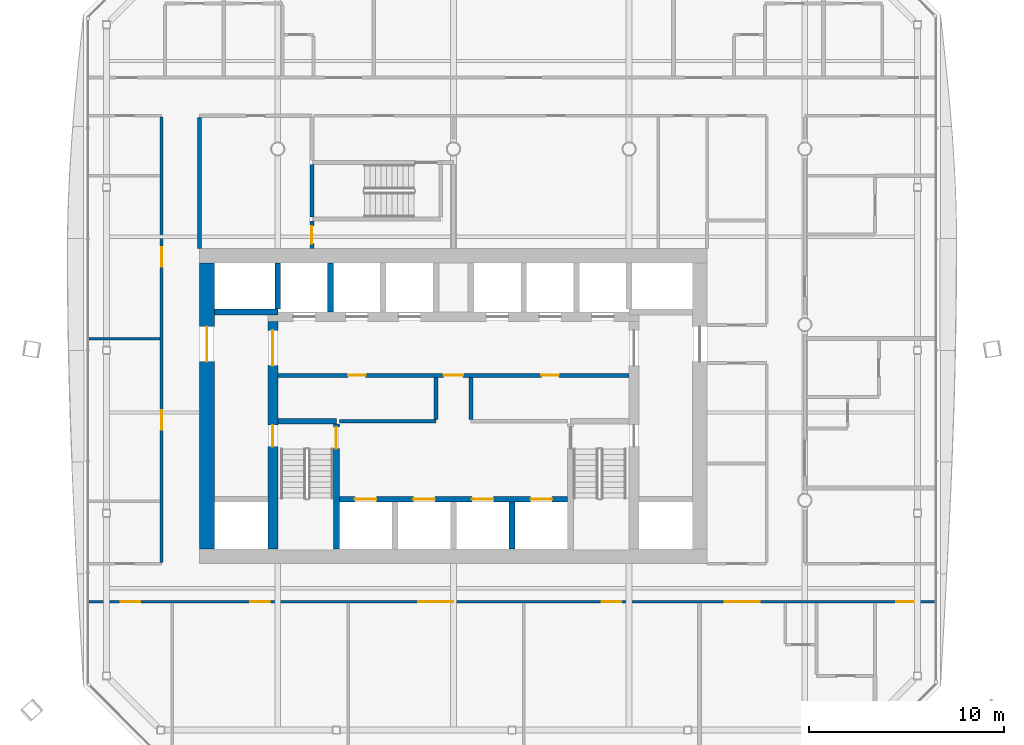
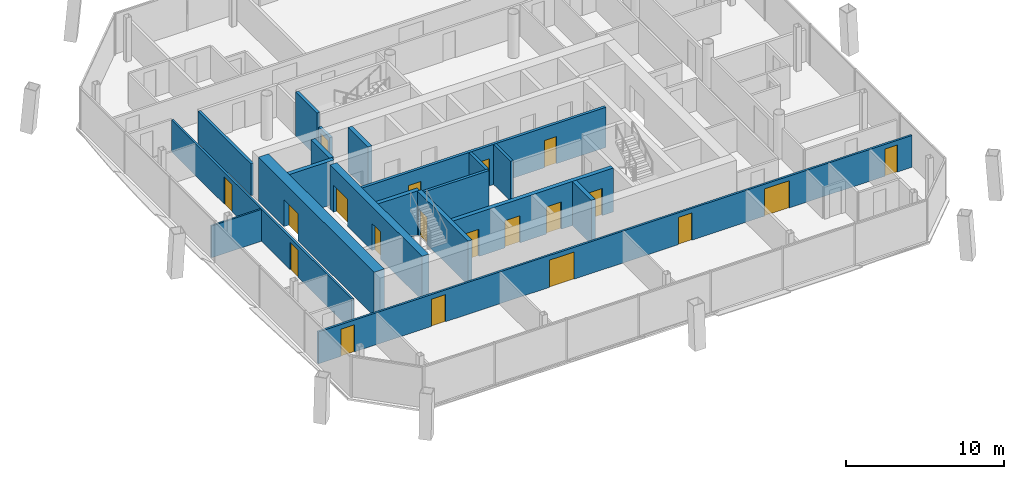
# One storey, part 12 of 18: 20 doors, 19 walls, 20 openings.
"""IFC4 building model written with IfcOpenShell, lengths in metres."""

from ifc_helpers import new_model, si_unit, direction, frame, frame_2d, origin, place, context, subcontext, project, spatial, rectangle, extrude, material, layer, layer_set, type_object, element, fill, save


model = new_model("IFC4")

# Units and contexts
model_context = context("Model", 3, precision=1e-05, world=origin(), true_north=direction((0.0, 1.0)))
body_context = subcontext(model_context, "Body", "Model", "MODEL_VIEW")
ifc_project = project(units=[si_unit("LENGTHUNIT", "METRE"), si_unit("AREAUNIT", "SQUARE_METRE"), si_unit("VOLUMEUNIT", "CUBIC_METRE"), si_unit("PLANEANGLEUNIT", "RADIAN"), si_unit("MASSUNIT", "GRAM", prefix="KILO")], contexts=[model_context])

# Site, building, storey
site_placement = place(None, origin())
site = spatial("IfcSite", under=ifc_project, at=site_placement, CompositionType="ELEMENT")
building_placement = place(site_placement, origin())
building = spatial("IfcBuilding", under=site, at=building_placement, Name="Tskaro Facet Tower", CompositionType="ELEMENT")
storey_placement = place(building_placement, frame((0.0, 0.0, 155.5)))
storey = spatial("IfcBuildingStorey", under=building, at=storey_placement, Name="L38", CompositionType="ELEMENT", Elevation=155.5)

# Wall, openings, doors
ifc_material_1 = material(Name="Concrete C60/75", Category="concrete")
ifc_layer_1 = layer(ifc_material_1, 0.300048828125, Name="Concrete C60/75")
ifc_layer_set_1 = layer_set([ifc_layer_1], Name="Concrete C60/75")
wall_type_1 = type_object("IfcWallType", Name="CORE-SHAFT", PredefinedType="SHEAR", material=ifc_layer_set_1)
wall_1_placement = place(storey_placement, frame((-5.85009765625, -8.949951171875, 0.0), z_axis=(0.0, 0.0, 1.0), x_axis=(1.0, 0.0, 0.0)))
wall_1 = element("IfcWall", 1, at=wall_1_placement, inside=storey, type_object=wall_type_1, Name="Shaft wall W009", PredefinedType="SHEAR", context=body_context, shape_type="SweptSolid", body=[
    extrude(rectangle(XDim=11.7001953125, YDim=0.300048828125, at=frame_2d((5.85009765625, 0.0))), origin(), (0.0, 0.0, 1.0), 3.39990234375),
])
opening_1_placement = place(wall_1_placement, frame((0.800048828125, 0.0, 0.0)))
opening_1 = element("IfcOpeningElement", 2, at=opening_1_placement, cuts=wall_1, Name="Opening LD-FF1", PredefinedType="OPENING", context=body_context, shape_type="SweptSolid", body=[
    extrude(rectangle(XDim=1.10009765625, YDim=2.10009765625, at=frame_2d((0.550048828125, 1.050048828125))), frame((0.0, 0.159912109375, 0.0), z_axis=(0.0, -1.0, 0.0), x_axis=(1.0, 0.0, 0.0)), (0.0, 0.0, 1.0), 0.320068359375),
])
opening_2_placement = place(wall_1_placement, frame((3.800048828125, 0.0, 0.0)))
opening_2 = element("IfcOpeningElement", 3, at=opening_2_placement, cuts=wall_1, Name="Opening LD-FF2", PredefinedType="OPENING", context=body_context, shape_type="SweptSolid", body=[
    extrude(rectangle(XDim=1.10009765625, YDim=2.10009765625, at=frame_2d((0.550048828125, 1.050048828125))), frame((0.0, 0.159912109375, 0.0), z_axis=(0.0, -1.0, 0.0), x_axis=(1.0, 0.0, 0.0)), (0.0, 0.0, 1.0), 0.320068359375),
])
opening_3_placement = place(wall_1_placement, frame((6.800048828125, 0.0, 0.0)))
opening_3 = element("IfcOpeningElement", 4, at=opening_3_placement, cuts=wall_1, Name="Opening LD-SV1", PredefinedType="OPENING", context=body_context, shape_type="SweptSolid", body=[
    extrude(rectangle(XDim=1.10009765625, YDim=2.10009765625, at=frame_2d((0.550048828125, 1.050048828125))), frame((0.0, 0.159912109375, 0.0), z_axis=(0.0, -1.0, 0.0), x_axis=(1.0, 0.0, 0.0)), (0.0, 0.0, 1.0), 0.320068359375),
])
opening_4_placement = place(wall_1_placement, frame((9.800048828125, 0.0, 0.0)))
opening_4 = element("IfcOpeningElement", 5, at=opening_4_placement, cuts=wall_1, Name="Opening LD-SV2", PredefinedType="OPENING", context=body_context, shape_type="SweptSolid", body=[
    extrude(rectangle(XDim=1.10009765625, YDim=2.10009765625, at=frame_2d((0.550048828125, 1.050048828125))), frame((0.0, 0.159912109375, 0.0), z_axis=(0.0, -1.0, 0.0), x_axis=(1.0, 0.0, 0.0)), (0.0, 0.0, 1.0), 0.320068359375),
])
ifc_material_2 = material(Name="Stainless steel", Category="steel")
door_type_1 = type_object("IfcDoorType", Name="D-LANDING", OperationType="NOTDEFINED", PredefinedType="DOOR", material=ifc_material_2)
door_1_placement = place(opening_1_placement, origin())
door_1 = element("IfcDoor", 6, at=door_1_placement, inside=storey, type_object=door_type_1, Name="Landing door FF1", OperationType="DOUBLE_DOOR_SLIDING", OverallHeight=2.10009765625, OverallWidth=1.10009765625, PredefinedType="DOOR", context=body_context, shape_type="SweptSolid", body=[
    extrude(rectangle(XDim=1.10009765625, YDim=2.10009765625, at=frame_2d((0.550048828125, 1.050048828125))), frame((0.0, 0.02490234375, 0.0), z_axis=(0.0, -1.0, 0.0), x_axis=(1.0, 0.0, 0.0)), (0.0, 0.0, 1.0), 0.050048828125),
])
fill(opening_1, door_1)
door_2_placement = place(opening_2_placement, origin())
door_2 = element("IfcDoor", 7, at=door_2_placement, inside=storey, type_object=door_type_1, Name="Landing door FF2", OperationType="DOUBLE_DOOR_SLIDING", OverallHeight=2.10009765625, OverallWidth=1.10009765625, PredefinedType="DOOR", context=body_context, shape_type="SweptSolid", body=[
    extrude(rectangle(XDim=1.10009765625, YDim=2.10009765625, at=frame_2d((0.550048828125, 1.050048828125))), frame((0.0, 0.02490234375, 0.0), z_axis=(0.0, -1.0, 0.0), x_axis=(1.0, 0.0, 0.0)), (0.0, 0.0, 1.0), 0.050048828125),
])
fill(opening_2, door_2)
door_3_placement = place(opening_3_placement, origin())
door_3 = element("IfcDoor", 8, at=door_3_placement, inside=storey, type_object=door_type_1, Name="Landing door SV1", OperationType="DOUBLE_DOOR_SLIDING", OverallHeight=2.10009765625, OverallWidth=1.10009765625, PredefinedType="DOOR", context=body_context, shape_type="SweptSolid", body=[
    extrude(rectangle(XDim=1.10009765625, YDim=2.10009765625, at=frame_2d((0.550048828125, 1.050048828125))), frame((0.0, 0.02490234375, 0.0), z_axis=(0.0, -1.0, 0.0), x_axis=(1.0, 0.0, 0.0)), (0.0, 0.0, 1.0), 0.050048828125),
])
fill(opening_3, door_3)
door_4_placement = place(opening_4_placement, origin())
door_4 = element("IfcDoor", 9, at=door_4_placement, inside=storey, type_object=door_type_1, Name="Landing door SV2", OperationType="DOUBLE_DOOR_SLIDING", OverallHeight=2.10009765625, OverallWidth=1.10009765625, PredefinedType="DOOR", context=body_context, shape_type="SweptSolid", body=[
    extrude(rectangle(XDim=1.10009765625, YDim=2.10009765625, at=frame_2d((0.550048828125, 1.050048828125))), frame((0.0, 0.02490234375, 0.0), z_axis=(0.0, -1.0, 0.0), x_axis=(1.0, 0.0, 0.0)), (0.0, 0.0, 1.0), 0.050048828125),
])
fill(opening_4, door_4)

# Walls
wall_2_placement = place(storey_placement, frame((-9.0, -4.949951171875, 0.0), z_axis=(0.0, 0.0, 1.0), x_axis=(1.0, 0.0, 0.0)))
element("IfcWall", 10, at=wall_2_placement, inside=storey, type_object=wall_type_1, Name="Shaft wall W014", PredefinedType="SHEAR", context=body_context, shape_type="SweptSolid", body=[
    extrude(rectangle(XDim=3.0, YDim=0.300048828125, at=frame_2d((1.5, 0.0))), origin(), (0.0, 0.0, 1.0), 3.39990234375),
])
wall_3_placement = place(storey_placement, frame((-9.0, 0.64990234375, 0.0), z_axis=(0.0, 0.0, 1.0), x_axis=(-1.0, 0.0, 0.0)))
element("IfcWall", 11, at=wall_3_placement, inside=storey, type_object=wall_type_1, Name="Shaft wall W024", PredefinedType="SHEAR", context=body_context, shape_type="SweptSolid", body=[
    extrude(rectangle(XDim=3.25, YDim=0.300048828125, at=frame_2d((1.625, 0.0))), origin(), (0.0, 0.0, 1.0), 3.39990234375),
])
wall_4_placement = place(storey_placement, frame((-9.0, 0.800048828125, 0.0), z_axis=(0.0, 0.0, 1.0), x_axis=(0.0, 1.0, 0.0)))
element("IfcWall", 12, at=wall_4_placement, inside=storey, type_object=wall_type_1, Name="Shaft wall W048", PredefinedType="SHEAR", context=body_context, shape_type="SweptSolid", body=[
    extrude(rectangle(XDim=2.349853515625, YDim=0.300048828125, at=frame_2d((1.1748046875, 0.0))), origin(), (0.0, 0.0, 1.0), 3.39990234375),
])
wall_5_placement = place(storey_placement, frame((-6.300048828125, 0.64990234375, 0.0), z_axis=(0.0, 0.0, 1.0), x_axis=(0.0, 1.0, 0.0)))
element("IfcWall", 13, at=wall_5_placement, inside=storey, type_object=wall_type_1, Name="Shaft wall W054", PredefinedType="SHEAR", context=body_context, shape_type="SweptSolid", body=[
    extrude(rectangle(XDim=2.5, YDim=0.300048828125, at=frame_2d((1.25, 0.0))), origin(), (0.0, 0.0, 1.0), 3.39990234375),
])

# Wall, opening, door
wall_6_placement = place(storey_placement, frame((-6.0, -11.5, 0.0), z_axis=(0.0, 0.0, 1.0), x_axis=(0.0, 1.0, 0.0)))
wall_6 = element("IfcWall", 14, at=wall_6_placement, inside=storey, type_object=wall_type_1, Name="Shaft wall W055", PredefinedType="SHEAR", context=body_context, shape_type="SweptSolid", body=[
    extrude(rectangle(XDim=6.39990234375, YDim=0.300048828125, at=frame_2d((3.199951171875, 0.0))), origin(), (0.0, 0.0, 1.0), 3.39990234375),
])
opening_5_placement = place(wall_6_placement, frame((5.14990234375, 0.0, 0.0)))
opening_5 = element("IfcOpeningElement", 15, at=opening_5_placement, cuts=wall_6, Name="Opening ST-1-D1", PredefinedType="OPENING", context=body_context, shape_type="SweptSolid", body=[
    extrude(rectangle(XDim=1.10009765625, YDim=2.10009765625, at=frame_2d((0.550048828125, 1.050048828125))), frame((0.0, 0.159912109375, 0.0), z_axis=(0.0, -1.0, 0.0), x_axis=(1.0, 0.0, 0.0)), (0.0, 0.0, 1.0), 0.320068359375),
])
ifc_material_3 = material(Name="Steel", Category="steel")
door_type_2 = type_object("IfcDoorType", Name="D-STAIR", OperationType="NOTDEFINED", PredefinedType="DOOR", material=ifc_material_3)
door_5_placement = place(opening_5_placement, origin())
door_5 = element("IfcDoor", 16, at=door_5_placement, inside=storey, type_object=door_type_2, Name="Stair door 1", OperationType="SINGLE_SWING_LEFT", OverallHeight=2.10009765625, OverallWidth=1.10009765625, PredefinedType="DOOR", context=body_context, shape_type="SweptSolid", body=[
    extrude(rectangle(XDim=1.10009765625, YDim=2.10009765625, at=frame_2d((0.550048828125, 1.050048828125))), frame((0.0, 0.02490234375, 0.0), z_axis=(0.0, -1.0, 0.0), x_axis=(1.0, 0.0, 0.0)), (0.0, 0.0, 1.0), 0.050048828125),
])
fill(opening_5, door_5)

# Walls
wall_7_placement = place(storey_placement, frame((3.0, -11.5, 0.0), z_axis=(0.0, 0.0, 1.0), x_axis=(0.0, 1.0, 0.0)))
element("IfcWall", 17, at=wall_7_placement, inside=storey, type_object=wall_type_1, Name="Shaft wall W068", PredefinedType="SHEAR", context=body_context, shape_type="SweptSolid", body=[
    extrude(rectangle(XDim=2.39990234375, YDim=0.300048828125, at=frame_2d((1.199951171875, 0.0))), origin(), (0.0, 0.0, 1.0), 3.39990234375),
])
ifc_material_4 = material(Name="Concrete C20/25", Category="concrete")
ifc_layer_2 = layer(ifc_material_4, 0.199951171875, Name="Concrete C20/25")
ifc_layer_set_2 = layer_set([ifc_layer_2], Name="Concrete C20/25")
wall_type_2 = type_object("IfcWallType", Name="CORE-WALL", PredefinedType="SOLIDWALL", material=ifc_layer_set_2)
wall_8_placement = place(storey_placement, frame((-5.85009765625, -4.949951171875, 0.0), z_axis=(0.0, 0.0, 1.0), x_axis=(1.0, 0.0, 0.0)))
element("IfcWall", 18, at=wall_8_placement, inside=storey, type_object=wall_type_2, Name="Core room wall W015", PredefinedType="SOLIDWALL", context=body_context, shape_type="SweptSolid", body=[
    extrude(rectangle(XDim=4.9501953125, YDim=0.199951171875, at=frame_2d((2.47509765625, 0.0))), origin(), (0.0, 0.0, 1.0), 3.10009765625),
])

# Wall, openings, doors
wall_9_placement = place(storey_placement, frame((9.0, -2.60009765625, 0.0), z_axis=(0.0, 0.0, 1.0), x_axis=(-1.0, 0.0, 0.0)))
wall_9 = element("IfcWall", 19, at=wall_9_placement, inside=storey, type_object=wall_type_2, Name="Core room wall W019", PredefinedType="SOLIDWALL", context=body_context, shape_type="SweptSolid", body=[
    extrude(rectangle(XDim=18.0, YDim=0.199951171875, at=frame_2d((9.0, 0.0))), origin(), (0.0, 0.0, 1.0), 3.10009765625),
])
opening_6_placement = place(wall_9_placement, frame((8.5, 0.0, 0.0)))
opening_6 = element("IfcOpeningElement", 20, at=opening_6_placement, cuts=wall_9, Name="Opening FL-D1", PredefinedType="OPENING", context=body_context, shape_type="SweptSolid", body=[
    extrude(rectangle(XDim=1.0, YDim=2.10009765625, at=frame_2d((0.5, 1.050048828125))), frame((0.0, 0.10986328125, 0.0), z_axis=(0.0, -1.0, 0.0), x_axis=(1.0, 0.0, 0.0)), (0.0, 0.0, 1.0), 0.219970703125),
])
opening_7_placement = place(wall_9_placement, frame((13.5, 0.0, 0.0)))
opening_7 = element("IfcOpeningElement", 21, at=opening_7_placement, cuts=wall_9, Name="Opening T11-D17", PredefinedType="OPENING", context=body_context, shape_type="SweptSolid", body=[
    extrude(rectangle(XDim=0.89990234375, YDim=2.10009765625, at=frame_2d((0.449951171875, 1.050048828125))), frame((0.0, 0.10986328125, 0.0), z_axis=(0.0, -1.0, 0.0), x_axis=(1.0, 0.0, 0.0)), (0.0, 0.0, 1.0), 0.219970703125),
])
opening_8_placement = place(wall_9_placement, frame((3.60009765625, 0.0, 0.0)))
opening_8 = element("IfcOpeningElement", 22, at=opening_8_placement, cuts=wall_9, Name="Opening T11-D18", PredefinedType="OPENING", context=body_context, shape_type="SweptSolid", body=[
    extrude(rectangle(XDim=0.89990234375, YDim=2.10009765625, at=frame_2d((0.449951171875, 1.050048828125))), frame((0.0, 0.10986328125, 0.0), z_axis=(0.0, -1.0, 0.0), x_axis=(1.0, 0.0, 0.0)), (0.0, 0.0, 1.0), 0.219970703125),
])
door_type_3 = type_object("IfcDoorType", Name="D-LOBBY", OperationType="NOTDEFINED", PredefinedType="DOOR", material=ifc_material_3)
door_6_placement = place(opening_6_placement, origin())
door_6 = element("IfcDoor", 23, at=door_6_placement, inside=storey, type_object=door_type_3, Name="Lobby door FL", OperationType="SINGLE_SWING_RIGHT", OverallHeight=2.10009765625, OverallWidth=1.0, PredefinedType="DOOR", context=body_context, shape_type="SweptSolid", body=[
    extrude(rectangle(XDim=1.0, YDim=2.10009765625, at=frame_2d((0.5, 1.050048828125))), frame((0.0, 0.02490234375, 0.0), z_axis=(0.0, -1.0, 0.0), x_axis=(1.0, 0.0, 0.0)), (0.0, 0.0, 1.0), 0.050048828125),
])
fill(opening_6, door_6)
ifc_material_5 = material(Name="Timber", Category="wood")
door_type_4 = type_object("IfcDoorType", Name="D-ROOM", OperationType="NOTDEFINED", PredefinedType="DOOR", material=ifc_material_5)
door_7_placement = place(opening_7_placement, origin())
door_7 = element("IfcDoor", 24, at=door_7_placement, inside=storey, type_object=door_type_4, Name="Door T11-D17", OperationType="SINGLE_SWING_RIGHT", OverallHeight=2.10009765625, OverallWidth=0.89990234375, PredefinedType="DOOR", context=body_context, shape_type="SweptSolid", body=[
    extrude(rectangle(XDim=0.89990234375, YDim=2.10009765625, at=frame_2d((0.449951171875, 1.050048828125))), frame((0.0, 0.02490234375, 0.0), z_axis=(0.0, -1.0, 0.0), x_axis=(1.0, 0.0, 0.0)), (0.0, 0.0, 1.0), 0.050048828125),
])
fill(opening_7, door_7)
door_8_placement = place(opening_8_placement, origin())
door_8 = element("IfcDoor", 25, at=door_8_placement, inside=storey, type_object=door_type_4, Name="Door T11-D18", OperationType="SINGLE_SWING_RIGHT", OverallHeight=2.10009765625, OverallWidth=0.89990234375, PredefinedType="DOOR", context=body_context, shape_type="SweptSolid", body=[
    extrude(rectangle(XDim=0.89990234375, YDim=2.10009765625, at=frame_2d((0.449951171875, 1.050048828125))), frame((0.0, 0.02490234375, 0.0), z_axis=(0.0, -1.0, 0.0), x_axis=(1.0, 0.0, 0.0)), (0.0, 0.0, 1.0), 0.050048828125),
])
fill(opening_8, door_8)

# Walls
for number, where, z_axis, x_axis, name in (
    (26, (-0.89990234375, -4.85009765625, 0.0), (0.0, 0.0, 1.0), (0.0, 1.0, 0.0), "Core room wall W060"),
    (27, (0.89990234375, -4.85009765625, 0.0), (0.0, 0.0, 1.0), (0.0, 1.0, 0.0), "Core room wall W066"),
):
    element("IfcWall", number, at=place(storey_placement, frame(where, z_axis=z_axis, x_axis=x_axis)), inside=storey, type_object=wall_type_2, Name=name, PredefinedType="SOLIDWALL", context=body_context, shape_type="SweptSolid", body=[
        extrude(rectangle(XDim=2.150146484375, YDim=0.199951171875, at=frame_2d((1.0751953125, 0.0))), origin(), (0.0, 0.0, 1.0), 3.10009765625),
    ])

# Wall, openings, doors
ifc_material_6 = material(Name="Concrete C40/50", Category="concrete")
ifc_layer_3 = layer(ifc_material_6, 0.5, Name="Concrete C40/50")
ifc_layer_set_3 = layer_set([ifc_layer_3], Name="Concrete C40/50")
wall_type_3 = type_object("IfcWallType", Name="Core wall 500", PredefinedType="SHEAR", material=ifc_layer_set_3)
wall_10_placement = place(storey_placement, frame((-9.25, -11.5, 0.0), z_axis=(0.0, 0.0, 1.0), x_axis=(0.0, 1.0, 0.0)))
wall_10 = element("IfcWall", 28, at=wall_10_placement, inside=storey, type_object=wall_type_3, Name="Core wall CW-Z3W", PredefinedType="SHEAR", context=body_context, shape_type="SweptSolid", body=[
    extrude(rectangle(XDim=11.64990234375, YDim=0.5, at=frame_2d((5.824951171875, 0.0))), origin(), (0.0, 0.0, 1.0), 3.39990234375),
])
opening_9_placement = place(wall_10_placement, frame((9.39990234375, 0.0, 0.0)))
opening_9 = element("IfcOpeningElement", 29, at=opening_9_placement, cuts=wall_10, Name="Opening T11-D21", PredefinedType="OPENING", context=body_context, shape_type="SweptSolid", body=[
    extrude(rectangle(XDim=1.800048828125, YDim=2.10009765625, at=frame_2d((0.89990234375, 1.050048828125))), frame((0.0, 0.260009765625, 0.0), z_axis=(0.0, -1.0, 0.0), x_axis=(1.0, 0.0, 0.0)), (0.0, 0.0, 1.0), 0.52001953125),
])
opening_10_placement = place(wall_10_placement, frame((5.25, 0.0, 0.0)))
opening_10 = element("IfcOpeningElement", 30, at=opening_10_placement, cuts=wall_10, Name="Opening ST-1-D2", PredefinedType="OPENING", context=body_context, shape_type="SweptSolid", body=[
    extrude(rectangle(XDim=1.10009765625, YDim=2.10009765625, at=frame_2d((0.550048828125, 1.050048828125))), frame((0.0, 0.260009765625, 0.0), z_axis=(0.0, -1.0, 0.0), x_axis=(1.0, 0.0, 0.0)), (0.0, 0.0, 1.0), 0.52001953125),
])
door_type_5 = type_object("IfcDoorType", Name="D-CORE-PAIR", OperationType="NOTDEFINED", PredefinedType="DOOR", material=ifc_material_3)
door_9_placement = place(opening_9_placement, origin())
door_9 = element("IfcDoor", 31, at=door_9_placement, inside=storey, type_object=door_type_5, Name="Door T11-D21", OperationType="DOUBLE_DOOR_SINGLE_SWING", OverallHeight=2.10009765625, OverallWidth=1.800048828125, PredefinedType="DOOR", context=body_context, shape_type="SweptSolid", body=[
    extrude(rectangle(XDim=1.800048828125, YDim=2.10009765625, at=frame_2d((0.89990234375, 1.050048828125))), frame((0.0, 0.02490234375, 0.0), z_axis=(0.0, -1.0, 0.0), x_axis=(1.0, 0.0, 0.0)), (0.0, 0.0, 1.0), 0.050048828125),
])
fill(opening_9, door_9)
door_10_placement = place(opening_10_placement, origin())
door_10 = element("IfcDoor", 32, at=door_10_placement, inside=storey, type_object=door_type_2, Name="Stair door 1 west", OperationType="SINGLE_SWING_LEFT", OverallHeight=2.10009765625, OverallWidth=1.10009765625, PredefinedType="DOOR", context=body_context, shape_type="SweptSolid", body=[
    extrude(rectangle(XDim=1.10009765625, YDim=2.10009765625, at=frame_2d((0.550048828125, 1.050048828125))), frame((0.0, 0.02490234375, 0.0), z_axis=(0.0, -1.0, 0.0), x_axis=(1.0, 0.0, 0.0)), (0.0, 0.0, 1.0), 0.050048828125),
])
fill(opening_10, door_10)

# Wall, opening, door
ifc_material_7 = material(Name="Concrete C50/60", Category="concrete")
ifc_layer_4 = layer(ifc_material_7, 0.75, Name="Concrete C50/60")
ifc_layer_set_4 = layer_set([ifc_layer_4], Name="Concrete C50/60")
wall_type_4 = type_object("IfcWallType", Name="Core wall 750", PredefinedType="SHEAR", material=ifc_layer_set_4)
wall_11_placement = place(storey_placement, frame((-12.625, -11.5, 0.0), z_axis=(0.0, 0.0, 1.0), x_axis=(0.0, 1.0, 0.0)))
wall_11 = element("IfcWall", 33, at=wall_11_placement, inside=storey, type_object=wall_type_4, Name="Core wall CW-Z2W", PredefinedType="SHEAR", context=body_context, shape_type="SweptSolid", body=[
    extrude(rectangle(XDim=14.64990234375, YDim=0.75, at=frame_2d((7.324951171875, 0.0))), origin(), (0.0, 0.0, 1.0), 3.39990234375),
])
opening_11_placement = place(wall_11_placement, frame((9.60009765625, 0.0, 0.0)))
opening_11 = element("IfcOpeningElement", 34, at=opening_11_placement, cuts=wall_11, Name="Opening T11-D23", PredefinedType="OPENING", context=body_context, shape_type="SweptSolid", body=[
    extrude(rectangle(XDim=1.800048828125, YDim=2.10009765625, at=frame_2d((0.89990234375, 1.050048828125))), frame((0.0, 0.385009765625, 0.0), z_axis=(0.0, -1.0, 0.0), x_axis=(1.0, 0.0, 0.0)), (0.0, 0.0, 1.0), 0.77001953125),
])
door_11_placement = place(opening_11_placement, origin())
door_11 = element("IfcDoor", 35, at=door_11_placement, inside=storey, type_object=door_type_5, Name="Door T11-D23", OperationType="DOUBLE_DOOR_SINGLE_SWING", OverallHeight=2.10009765625, OverallWidth=1.800048828125, PredefinedType="DOOR", context=body_context, shape_type="SweptSolid", body=[
    extrude(rectangle(XDim=1.800048828125, YDim=2.10009765625, at=frame_2d((0.89990234375, 1.050048828125))), frame((0.0, 0.02490234375, 0.0), z_axis=(0.0, -1.0, 0.0), x_axis=(1.0, 0.0, 0.0)), (0.0, 0.0, 1.0), 0.050048828125),
])
fill(opening_11, door_11)

# Wall
ifc_material_8 = material(Name="Gypsum board on steel studs", Category="steel")
ifc_layer_5 = layer(ifc_material_8, 0.125, Name="Gypsum board on steel studs")
ifc_layer_set_5 = layer_set([ifc_layer_5], Name="Gypsum board on steel studs")
wall_type_5 = type_object("IfcWallType", Name="PART", PredefinedType="PARTITIONING", material=ifc_layer_set_5)
wall_12_placement = place(storey_placement, frame((-18.674072265625, -0.715087890625, 0.0), z_axis=(0.0, 0.0, 1.0), x_axis=(1.0, 0.0, 0.0)))
element("IfcWall", 36, at=wall_12_placement, inside=storey, type_object=wall_type_5, Name="Partition W022", PredefinedType="PARTITIONING", context=body_context, shape_type="SweptSolid", body=[
    extrude(rectangle(XDim=3.649169921875, YDim=0.125, at=frame_2d((1.82470703125, 0.0))), origin(), (0.0, 0.0, 1.0), 2.4599609375),
])

# Wall, openings, doors
ifc_layer_6 = layer(ifc_material_8, 0.14990234375, Name="Gypsum board on steel studs")
ifc_layer_set_6 = layer_set([ifc_layer_6], Name="Gypsum board on steel studs")
wall_type_6 = type_object("IfcWallType", Name="PART-CORR", PredefinedType="PARTITIONING", material=ifc_layer_set_6)
wall_13_placement = place(storey_placement, frame((24.674072265625, -14.199951171875, 0.0), z_axis=(0.0, 0.0, 1.0), x_axis=(-1.0, 0.0, 0.0)))
wall_13 = element("IfcWall", 37, at=wall_13_placement, inside=storey, type_object=wall_type_6, Name="Corridor wall W003", PredefinedType="PARTITIONING", context=body_context, shape_type="SweptSolid", body=[
    extrude(rectangle(XDim=43.34814453125, YDim=0.14990234375, at=frame_2d((21.674072265625, 0.0))), origin(), (0.0, 0.0, 1.0), 2.4599609375),
])
opening_12_placement = place(wall_13_placement, frame((40.71044921875, 0.0, 0.0)))
opening_12 = element("IfcOpeningElement", 38, at=opening_12_placement, cuts=wall_13, Name="Opening T11-D03", PredefinedType="OPENING", context=body_context, shape_type="SweptSolid", body=[
    extrude(rectangle(XDim=1.0, YDim=2.10009765625, at=frame_2d((0.5, 1.050048828125))), frame((0.0, 0.0849609375, 0.0), z_axis=(0.0, -1.0, 0.0), x_axis=(1.0, 0.0, 0.0)), (0.0, 0.0, 1.0), 0.169921875),
])
opening_13_placement = place(wall_13_placement, frame((34.073486328125, 0.0, 0.0)))
opening_13 = element("IfcOpeningElement", 39, at=opening_13_placement, cuts=wall_13, Name="Opening T11-D04", PredefinedType="OPENING", context=body_context, shape_type="SweptSolid", body=[
    extrude(rectangle(XDim=1.0, YDim=2.10009765625, at=frame_2d((0.5, 1.050048828125))), frame((0.0, 0.0849609375, 0.0), z_axis=(0.0, -1.0, 0.0), x_axis=(1.0, 0.0, 0.0)), (0.0, 0.0, 1.0), 0.169921875),
])
opening_14_placement = place(wall_13_placement, frame((24.674072265625, 0.0, 0.0)))
opening_14 = element("IfcOpeningElement", 40, at=opening_14_placement, cuts=wall_13, Name="Opening T11-D05", PredefinedType="OPENING", context=body_context, shape_type="SweptSolid", body=[
    extrude(rectangle(XDim=1.800048828125, YDim=2.10009765625, at=frame_2d((0.89990234375, 1.050048828125))), frame((0.0, 0.0849609375, 0.0), z_axis=(0.0, -1.0, 0.0), x_axis=(1.0, 0.0, 0.0)), (0.0, 0.0, 1.0), 0.169921875),
])
opening_15_placement = place(wall_13_placement, frame((16.073974609375, 0.0, 0.0)))
opening_15 = element("IfcOpeningElement", 41, at=opening_15_placement, cuts=wall_13, Name="Opening T11-D06", PredefinedType="OPENING", context=body_context, shape_type="SweptSolid", body=[
    extrude(rectangle(XDim=1.0, YDim=2.10009765625, at=frame_2d((0.5, 1.050048828125))), frame((0.0, 0.0849609375, 0.0), z_axis=(0.0, -1.0, 0.0), x_axis=(1.0, 0.0, 0.0)), (0.0, 0.0, 1.0), 0.169921875),
])
opening_16_placement = place(wall_13_placement, frame((8.974609375, 0.0, 0.0)))
opening_16 = element("IfcOpeningElement", 42, at=opening_16_placement, cuts=wall_13, Name="Opening T11-D07", PredefinedType="OPENING", context=body_context, shape_type="SweptSolid", body=[
    extrude(rectangle(XDim=1.800048828125, YDim=2.10009765625, at=frame_2d((0.89990234375, 1.050048828125))), frame((0.0, 0.0849609375, 0.0), z_axis=(0.0, -1.0, 0.0), x_axis=(1.0, 0.0, 0.0)), (0.0, 0.0, 1.0), 0.169921875),
])
opening_17_placement = place(wall_13_placement, frame((1.08740234375, 0.0, 0.0)))
opening_17 = element("IfcOpeningElement", 43, at=opening_17_placement, cuts=wall_13, Name="Opening T11-D08", PredefinedType="OPENING", context=body_context, shape_type="SweptSolid", body=[
    extrude(rectangle(XDim=0.89990234375, YDim=2.10009765625, at=frame_2d((0.449951171875, 1.050048828125))), frame((0.0, 0.0849609375, 0.0), z_axis=(0.0, -1.0, 0.0), x_axis=(1.0, 0.0, 0.0)), (0.0, 0.0, 1.0), 0.169921875),
])
ifc_material_9 = material(Name="Glass", Category="glass")
door_type_6 = type_object("IfcDoorType", Name="D-ENTRY-PAIR", OperationType="NOTDEFINED", PredefinedType="DOOR", material=ifc_material_9)
door_12_placement = place(opening_14_placement, origin())
door_12 = element("IfcDoor", 44, at=door_12_placement, inside=storey, type_object=door_type_6, Name="Door T11-D05", OperationType="DOUBLE_DOOR_SINGLE_SWING", OverallHeight=2.10009765625, OverallWidth=1.800048828125, PredefinedType="DOOR", context=body_context, shape_type="SweptSolid", body=[
    extrude(rectangle(XDim=1.800048828125, YDim=2.10009765625, at=frame_2d((0.89990234375, 1.050048828125))), frame((0.0, 0.02490234375, 0.0), z_axis=(0.0, -1.0, 0.0), x_axis=(1.0, 0.0, 0.0)), (0.0, 0.0, 1.0), 0.050048828125),
])
fill(opening_14, door_12)
door_13_placement = place(opening_17_placement, origin())
door_13 = element("IfcDoor", 45, at=door_13_placement, inside=storey, type_object=door_type_4, Name="Door T11-D08", OperationType="SINGLE_SWING_RIGHT", OverallHeight=2.10009765625, OverallWidth=0.89990234375, PredefinedType="DOOR", context=body_context, shape_type="SweptSolid", body=[
    extrude(rectangle(XDim=0.89990234375, YDim=2.10009765625, at=frame_2d((0.449951171875, 1.050048828125))), frame((0.0, 0.02490234375, 0.0), z_axis=(0.0, -1.0, 0.0), x_axis=(1.0, 0.0, 0.0)), (0.0, 0.0, 1.0), 0.050048828125),
])
fill(opening_17, door_13)
door_type_7 = type_object("IfcDoorType", Name="D-ROOM-WIDE", OperationType="NOTDEFINED", PredefinedType="DOOR", material=ifc_material_5)
door_14_placement = place(opening_12_placement, origin())
door_14 = element("IfcDoor", 46, at=door_14_placement, inside=storey, type_object=door_type_7, Name="Door T11-D03", OperationType="SINGLE_SWING_RIGHT", OverallHeight=2.10009765625, OverallWidth=1.0, PredefinedType="DOOR", context=body_context, shape_type="SweptSolid", body=[
    extrude(rectangle(XDim=1.0, YDim=2.10009765625, at=frame_2d((0.5, 1.050048828125))), frame((0.0, 0.02490234375, 0.0), z_axis=(0.0, -1.0, 0.0), x_axis=(1.0, 0.0, 0.0)), (0.0, 0.0, 1.0), 0.050048828125),
])
fill(opening_12, door_14)
door_15_placement = place(opening_13_placement, origin())
door_15 = element("IfcDoor", 47, at=door_15_placement, inside=storey, type_object=door_type_7, Name="Door T11-D04", OperationType="SINGLE_SWING_RIGHT", OverallHeight=2.10009765625, OverallWidth=1.0, PredefinedType="DOOR", context=body_context, shape_type="SweptSolid", body=[
    extrude(rectangle(XDim=1.0, YDim=2.10009765625, at=frame_2d((0.5, 1.050048828125))), frame((0.0, 0.02490234375, 0.0), z_axis=(0.0, -1.0, 0.0), x_axis=(1.0, 0.0, 0.0)), (0.0, 0.0, 1.0), 0.050048828125),
])
fill(opening_13, door_15)
door_16_placement = place(opening_15_placement, origin())
door_16 = element("IfcDoor", 48, at=door_16_placement, inside=storey, type_object=door_type_7, Name="Door T11-D06", OperationType="SINGLE_SWING_RIGHT", OverallHeight=2.10009765625, OverallWidth=1.0, PredefinedType="DOOR", context=body_context, shape_type="SweptSolid", body=[
    extrude(rectangle(XDim=1.0, YDim=2.10009765625, at=frame_2d((0.5, 1.050048828125))), frame((0.0, 0.02490234375, 0.0), z_axis=(0.0, -1.0, 0.0), x_axis=(1.0, 0.0, 0.0)), (0.0, 0.0, 1.0), 0.050048828125),
])
fill(opening_15, door_16)
door_type_8 = type_object("IfcDoorType", Name="D-SUITE-PAIR", OperationType="NOTDEFINED", PredefinedType="DOOR", material=ifc_material_5)
door_17_placement = place(opening_16_placement, origin())
door_17 = element("IfcDoor", 49, at=door_17_placement, inside=storey, type_object=door_type_8, Name="Door T11-D07", OperationType="DOUBLE_DOOR_SINGLE_SWING", OverallHeight=2.10009765625, OverallWidth=1.800048828125, PredefinedType="DOOR", context=body_context, shape_type="SweptSolid", body=[
    extrude(rectangle(XDim=1.800048828125, YDim=2.10009765625, at=frame_2d((0.89990234375, 1.050048828125))), frame((0.0, 0.02490234375, 0.0), z_axis=(0.0, -1.0, 0.0), x_axis=(1.0, 0.0, 0.0)), (0.0, 0.0, 1.0), 0.050048828125),
])
fill(opening_16, door_17)

wall_14_placement = place(storey_placement, frame((-14.949951171875, -12.175048828125, 0.0), z_axis=(0.0, 0.0, 1.0), x_axis=(0.0, 1.0, 0.0)))
wall_14 = element("IfcWall", 50, at=wall_14_placement, inside=storey, type_object=wall_type_6, Name="Corridor wall W043", PredefinedType="PARTITIONING", context=body_context, shape_type="SweptSolid", body=[
    extrude(rectangle(XDim=22.800048828125, YDim=0.14990234375, at=frame_2d((11.39990234375, 0.0))), origin(), (0.0, 0.0, 1.0), 2.4599609375),
])
opening_18_placement = place(wall_14_placement, frame((6.7890625, 0.0, 0.0)))
opening_18 = element("IfcOpeningElement", 51, at=opening_18_placement, cuts=wall_14, Name="Opening T11-D15", PredefinedType="OPENING", context=body_context, shape_type="SweptSolid", body=[
    extrude(rectangle(XDim=1.0, YDim=2.10009765625, at=frame_2d((0.5, 1.050048828125))), frame((0.0, 0.0849609375, 0.0), z_axis=(0.0, -1.0, 0.0), x_axis=(1.0, 0.0, 0.0)), (0.0, 0.0, 1.0), 0.169921875),
])
opening_19_placement = place(wall_14_placement, frame((15.130615234375, 0.0, 0.0)))
opening_19 = element("IfcOpeningElement", 52, at=opening_19_placement, cuts=wall_14, Name="Opening T11-D29", PredefinedType="OPENING", context=body_context, shape_type="SweptSolid", body=[
    extrude(rectangle(XDim=1.0, YDim=2.10009765625, at=frame_2d((0.5, 1.050048828125))), frame((0.0, 0.0849609375, 0.0), z_axis=(0.0, -1.0, 0.0), x_axis=(1.0, 0.0, 0.0)), (0.0, 0.0, 1.0), 0.169921875),
])
door_18_placement = place(opening_18_placement, origin())
door_18 = element("IfcDoor", 53, at=door_18_placement, inside=storey, type_object=door_type_7, Name="Door T11-D15", OperationType="SINGLE_SWING_LEFT", OverallHeight=2.10009765625, OverallWidth=1.0, PredefinedType="DOOR", context=body_context, shape_type="SweptSolid", body=[
    extrude(rectangle(XDim=1.0, YDim=2.10009765625, at=frame_2d((0.5, 1.050048828125))), frame((0.0, 0.02490234375, 0.0), z_axis=(0.0, -1.0, 0.0), x_axis=(1.0, 0.0, 0.0)), (0.0, 0.0, 1.0), 0.050048828125),
])
fill(opening_18, door_18)
door_19_placement = place(opening_19_placement, origin())
door_19 = element("IfcDoor", 54, at=door_19_placement, inside=storey, type_object=door_type_7, Name="Door T11-D29", OperationType="SINGLE_SWING_LEFT", OverallHeight=2.10009765625, OverallWidth=1.0, PredefinedType="DOOR", context=body_context, shape_type="SweptSolid", body=[
    extrude(rectangle(XDim=1.0, YDim=2.10009765625, at=frame_2d((0.5, 1.050048828125))), frame((0.0, 0.02490234375, 0.0), z_axis=(0.0, -1.0, 0.0), x_axis=(1.0, 0.0, 0.0)), (0.0, 0.0, 1.0), 0.050048828125),
])
fill(opening_19, door_19)

# Walls
ifc_layer_7 = layer(ifc_material_1, 0.199951171875, Name="Concrete C60/75")
ifc_layer_set_7 = layer_set([ifc_layer_7], Name="Concrete C60/75")
wall_type_7 = type_object("IfcWallType", Name="STAIR-WALL", PredefinedType="SHEAR", material=ifc_layer_set_7)
wall_15_placement = place(storey_placement, frame((-7.25, 5.5, 0.0), z_axis=(0.0, 0.0, 1.0), x_axis=(0.0, 1.0, 0.0)))
element("IfcWall", 55, at=wall_15_placement, inside=storey, type_object=wall_type_7, Name="Stair wall W051", PredefinedType="SHEAR", context=body_context, shape_type="SweptSolid", body=[
    extrude(rectangle(XDim=2.699951171875, YDim=0.199951171875, at=frame_2d((1.35009765625, 0.0))), origin(), (0.0, 0.0, 1.0), 3.39990234375),
])
ifc_layer_8 = layer(ifc_material_4, 0.199951171875, Name="Concrete C20/25")
ifc_layer_set_8 = layer_set([ifc_layer_8], Name="Concrete C20/25")
wall_type_8 = type_object("IfcWallType", Name="WALL-RISER", PredefinedType="SOLIDWALL", material=ifc_layer_set_8)
wall_16_placement = place(storey_placement, frame((-13.0, 3.89990234375, 0.0), z_axis=(0.0, 0.0, 1.0), x_axis=(0.0, 1.0, 0.0)))
element("IfcWall", 56, at=wall_16_placement, inside=storey, type_object=wall_type_8, Name="Riser room wall W046", PredefinedType="SOLIDWALL", context=body_context, shape_type="SweptSolid", body=[
    extrude(rectangle(XDim=6.7001953125, YDim=0.199951171875, at=frame_2d((3.35009765625, 0.0))), origin(), (0.0, 0.0, 1.0), 2.4599609375),
])

# Wall, opening, door
wall_17_placement = place(storey_placement, frame((-7.25, 5.300048828125, 0.0), z_axis=(0.0, 0.0, 1.0), x_axis=(0.0, -1.0, 0.0)))
wall_17 = element("IfcWall", 57, at=wall_17_placement, inside=storey, type_object=wall_type_8, Name="Riser room wall W050", PredefinedType="SOLIDWALL", context=body_context, shape_type="SweptSolid", body=[
    extrude(rectangle(XDim=1.400146484375, YDim=0.199951171875, at=frame_2d((0.7001953125, 0.0))), origin(), (0.0, 0.0, 1.0), 2.4599609375),
])
opening_20_placement = place(wall_17_placement, frame((0.25, 0.0, 0.0)))
opening_20 = element("IfcOpeningElement", 58, at=opening_20_placement, cuts=wall_17, Name="Opening T11-D30", PredefinedType="OPENING", context=body_context, shape_type="SweptSolid", body=[
    extrude(rectangle(XDim=0.89990234375, YDim=2.10009765625, at=frame_2d((0.449951171875, 1.050048828125))), frame((0.0, 0.10986328125, 0.0), z_axis=(0.0, -1.0, 0.0), x_axis=(1.0, 0.0, 0.0)), (0.0, 0.0, 1.0), 0.219970703125),
])
door_type_9 = type_object("IfcDoorType", Name="D-RISER", OperationType="NOTDEFINED", PredefinedType="DOOR", material=ifc_material_3)
door_20_placement = place(opening_20_placement, origin())
door_20 = element("IfcDoor", 59, at=door_20_placement, inside=storey, type_object=door_type_9, Name="Door T11-D30", OperationType="SINGLE_SWING_RIGHT", OverallHeight=2.10009765625, OverallWidth=0.89990234375, PredefinedType="DOOR", context=body_context, shape_type="SweptSolid", body=[
    extrude(rectangle(XDim=0.89990234375, YDim=2.10009765625, at=frame_2d((0.449951171875, 1.050048828125))), frame((0.0, 0.02490234375, 0.0), z_axis=(0.0, -1.0, 0.0), x_axis=(1.0, 0.0, 0.0)), (0.0, 0.0, 1.0), 0.050048828125),
])
fill(opening_20, door_20)

save(model, "model.ifc")
